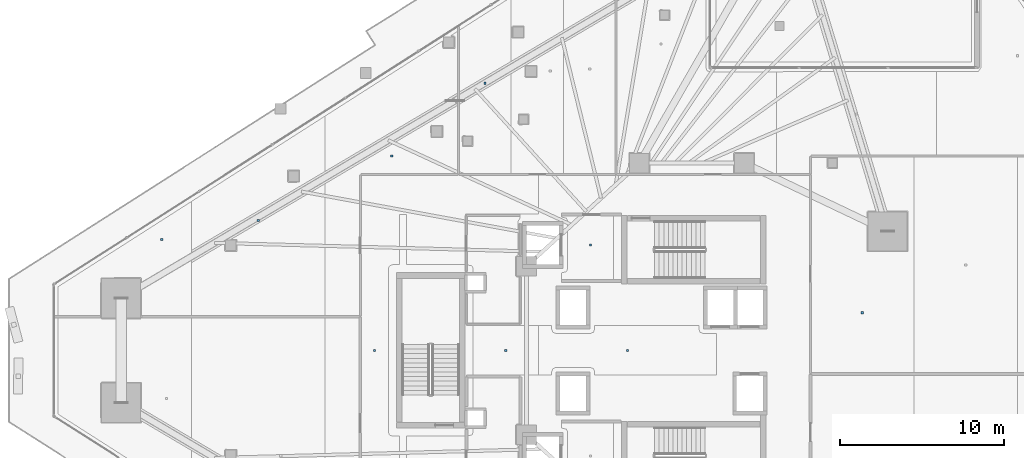
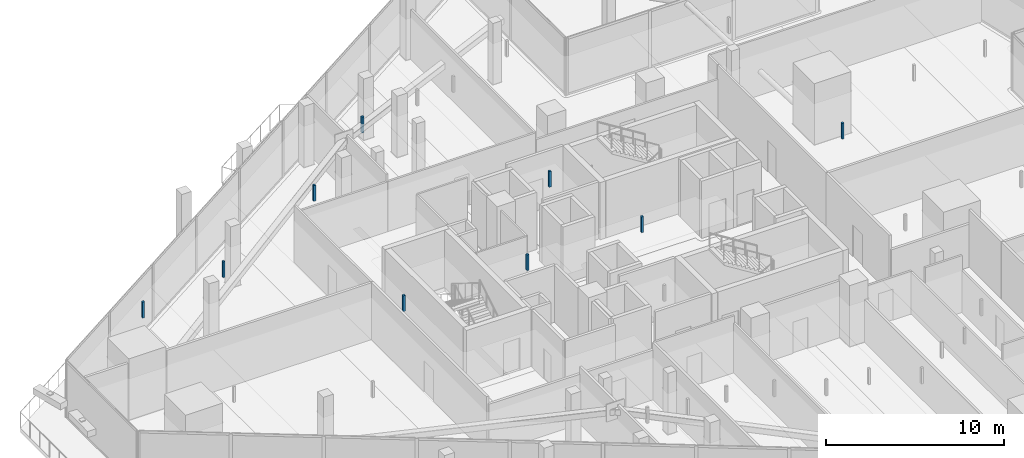
# One storey, part 36 of 47: 9 discrete accessories.
"""IFC4 building model written with IfcOpenShell, lengths in metres."""

from ifc_helpers import new_model, si_unit, direction, frame, origin, origin_2d, place, context, subcontext, project, spatial, rectangle, extrude, material, type_object, element, save


model = new_model("IFC4")

# Units and contexts
model_context = context("Model", 3, precision=1e-05, world=origin(), true_north=direction((0.0, 1.0)))
body_context = subcontext(model_context, "Body", "Model", "MODEL_VIEW")
ifc_project = project(units=[si_unit("LENGTHUNIT", "METRE"), si_unit("AREAUNIT", "SQUARE_METRE"), si_unit("VOLUMEUNIT", "CUBIC_METRE"), si_unit("PLANEANGLEUNIT", "RADIAN"), si_unit("MASSUNIT", "GRAM", prefix="KILO")], contexts=[model_context])

# Site, building, storey
site_placement = place(None, origin())
site = spatial("IfcSite", under=ifc_project, at=site_placement, CompositionType="ELEMENT")
building_placement = place(site_placement, origin())
building = spatial("IfcBuilding", under=site, at=building_placement, Name="Qorvath Tower", CompositionType="ELEMENT")
storey_placement = place(building_placement, frame((0.0, 0.0, 74.39990234375)))
storey = spatial("IfcBuildingStorey", under=building, at=storey_placement, Name="L16", CompositionType="ELEMENT", Elevation=74.39990234375)

# Discrete accessories
ifc_material = material(Name="Galvanised steel bracket", Category="steel")
discrete_accessory_type = type_object("IfcDiscreteAccessoryType", Name="DA-BRACKET", PredefinedType="BRACKET", material=ifc_material)
for number, where, z_axis, x_axis, name in (
    (1, (-26.590087890625, 6.449951171875, 2.85986328125), (0.0, 0.0, 1.0), (1.0, 0.0, 0.0), "Acoustic Ceiling Suspension Hanger T1-L16-001"),
    (2, (-39.797607421875, 0.0, 2.85986328125), (0.0, 0.0, 1.0), (1.0, 0.0, 0.0), "Acoustic Ceiling Suspension Hanger T1-L16-005"),
    (3, (-31.762451171875, 0.0, 2.85986328125), (0.0, 0.0, 1.0), (1.0, 0.0, 0.0), "Acoustic Ceiling Suspension Hanger T1-L16-006"),
    (4, (-24.324951171875, 0.0, 2.85986328125), (0.0, 0.0, 1.0), (1.0, 0.0, 0.0), "Acoustic Ceiling Suspension Hanger T1-L16-007"),
    (5, (-33.0439453125, 16.337158203125, 2.85986328125), (0.0, 0.0, 1.0), (1.0, 0.0, 0.0), "Acoustic Ceiling Suspension Hanger T1-L16-008"),
    (6, (-9.9755859375, 2.302734375, 2.85986328125), (0.0, 0.0, 1.0), (1.0, 0.0, 0.0), "Acoustic Ceiling Suspension Hanger T1-L16-032"),
    (7, (-52.80078125, 6.780029296875, 2.85986328125), (0.0, 0.0, 1.0), (1.0, 0.0, 0.0), "Acoustic Ceiling Suspension Hanger T1-L16-038"),
    (8, (-46.90185546875, 7.94873046875, 2.85986328125), (0.0, 0.0, 1.0), (1.0, 0.0, 0.0), "Acoustic Ceiling Suspension Hanger T1-L16-039"),
    (9, (-38.74267578125, 11.88818359375, 2.85986328125), (0.0, 0.0, 1.0), (1.0, 0.0, 0.0), "Acoustic Ceiling Suspension Hanger T1-L16-040"),
):
    element("IfcDiscreteAccessory", number, at=place(storey_placement, frame(where, z_axis=z_axis, x_axis=x_axis)), inside=storey, type_object=discrete_accessory_type, Name=name, PredefinedType="NOTDEFINED", context=body_context, shape_type="SweptSolid", body=[
        extrude(rectangle(XDim=0.139892578125, YDim=0.139892578125, at=origin_2d()), origin(), (0.0, 0.0, 1.0), 1.090087890625),
    ])

save(model, "model.ifc")
